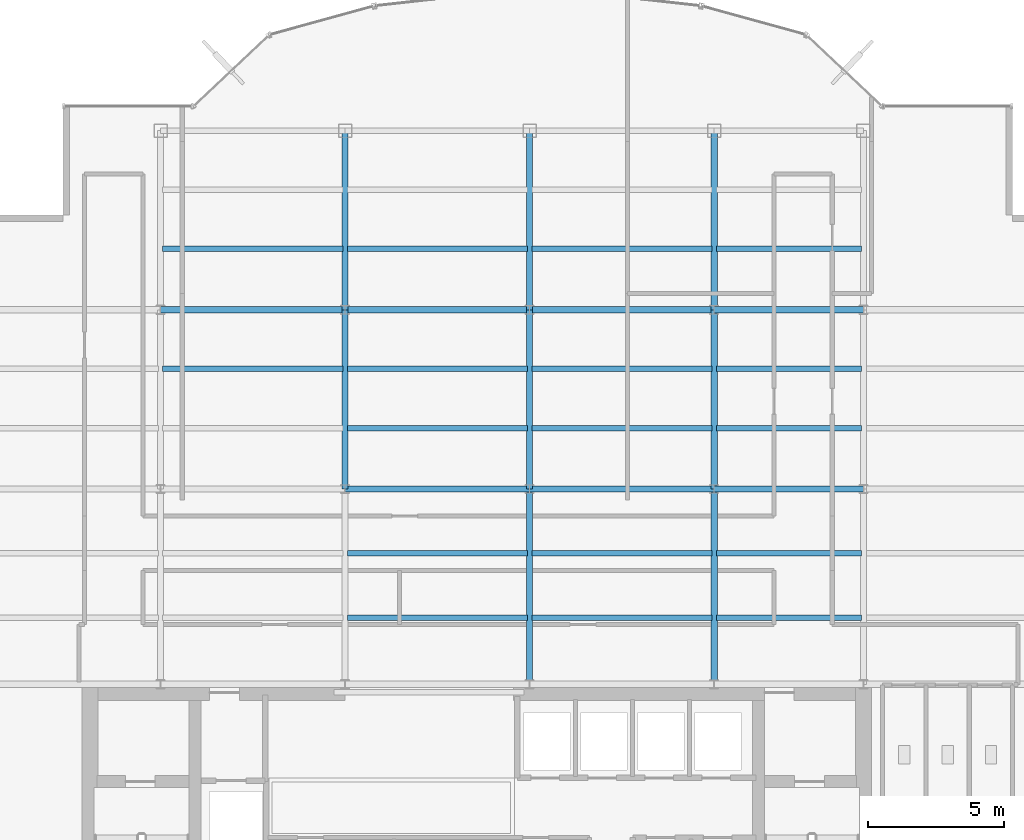
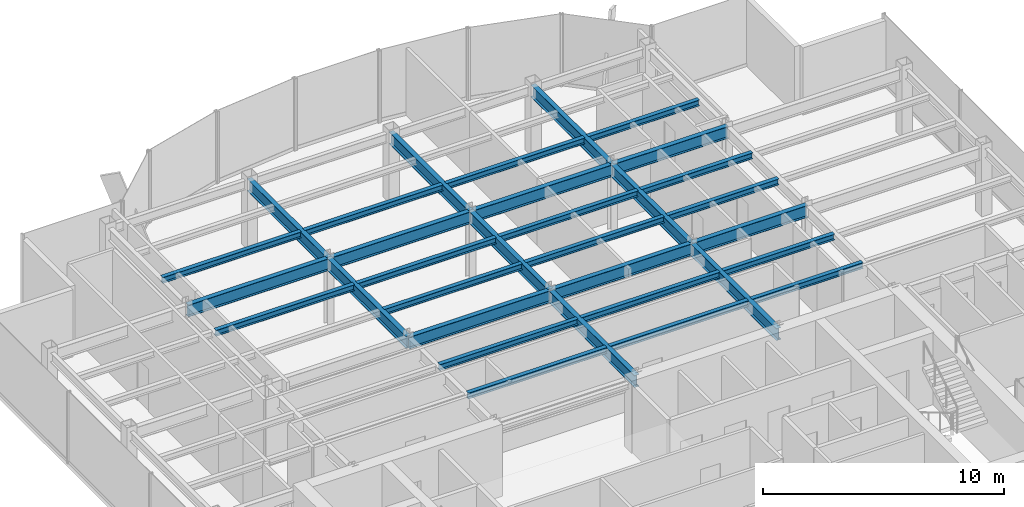
# One storey, part 8 of 22: 32 beams.
"""IFC4 building model written with IfcOpenShell, lengths in metres."""

from ifc_helpers import new_model, si_unit, derived_unit, direction, frame, origin, origin_2d, place, context, subcontext, project, spatial, i_section, extrude, source, transform, mapped, material, material_profile, profile_set, type_object, element, save


model = new_model("IFC4")

# Units and contexts
model_context = context("Model", 3, precision=1e-05, world=origin(), true_north=direction((0.0, 1.0)))
body_context = subcontext(model_context, "Body", "Model", "MODEL_VIEW")
ifc_project = project(units=[si_unit("LENGTHUNIT", "METRE"), si_unit("AREAUNIT", "SQUARE_METRE"), si_unit("VOLUMEUNIT", "CUBIC_METRE"), si_unit("PLANEANGLEUNIT", "RADIAN"), si_unit("MASSUNIT", "GRAM", prefix="KILO"), derived_unit("THERMALTRANSMITTANCEUNIT", [(si_unit("POWERUNIT", "WATT"), 1), (si_unit("LENGTHUNIT", "METRE"), -2), (si_unit("THERMODYNAMICTEMPERATUREUNIT", "KELVIN"), -1)])], contexts=[model_context])

# Site, building, storey
site_placement = place(None, origin())
site = spatial("IfcSite", under=ifc_project, at=site_placement, CompositionType="ELEMENT")
building_placement = place(site_placement, origin())
building = spatial("IfcBuilding", under=site, at=building_placement, Name="Skarnbrae Concourse Arena and Tower", CompositionType="ELEMENT")
storey_placement = place(building_placement, frame((0.0, 0.0, 262.449951171875)))
storey = spatial("IfcBuildingStorey", under=building, at=storey_placement, Name="L68", CompositionType="ELEMENT", Elevation=262.449951171875)

# Beams
ifc_material = material(Name="Steel CSA G40.21 350W", Category="steel")
ifc_material_profile_1 = material_profile(ifc_material, i_section(OverallWidth=0.22802734375, OverallDepth=0.60791015625, WebThickness=0.01123046875, FlangeThickness=0.017333984375, at=origin_2d()), Name="W610X113")
ifc_profile_set_1 = profile_set([ifc_material_profile_1], Name="Steel CSA G40.21 350W")
beam_type_1 = type_object("IfcBeamType", Name="BM-GIRD-W610X113", PredefinedType="BEAM", material=ifc_profile_set_1)
shared_shape_1 = source(origin(), body_context, "Body", "SweptSolid", [
    extrude(i_section(OverallWidth=0.22802734375, OverallDepth=0.60791015625, WebThickness=0.01123046875, FlangeThickness=0.017333984375, at=origin_2d()), origin(), (0.0, 0.0, 1.0), 6.60009765625),
])
for number, where, z_axis, x_axis, name in (
    (1, (14.39990234375, 21.199951171875, 3.095947265625), (0.0, 1.0, 0.0), (-1.0, 0.0, 0.0), "L68 Primary N-S girder X14.4-2"),
    (2, (21.199951171875, 21.199951171875, 3.095947265625), (0.0, 1.0, 0.0), (-1.0, 0.0, 0.0), "L68 Primary N-S girder X21.2-2"),
    (3, (28.0, 21.199951171875, 3.095947265625), (0.0, 1.0, 0.0), (-1.0, 0.0, 0.0), "L68 Primary N-S girder X28.0-2"),
):
    element("IfcBeam", number, at=place(storey_placement, frame(where, z_axis=z_axis, x_axis=x_axis)), inside=storey, type_object=beam_type_1, Name=name, PredefinedType="BEAM", context=body_context, shape_type="MappedRepresentation", body=[
        mapped(shared_shape_1, transform((0.0, 0.0, 0.0))),
    ])
shared_shape_2 = source(origin(), body_context, "Body", "SweptSolid", [
    extrude(i_section(OverallWidth=0.22802734375, OverallDepth=0.60791015625, WebThickness=0.01123046875, FlangeThickness=0.017333984375, at=origin_2d()), origin(), (0.0, 0.0, 1.0), 6.7998046875),
])
beam_placement = place(storey_placement, frame((7.60009765625, 27.800048828125, 3.095947265625), z_axis=(1.0, 0.0, 0.0), x_axis=(0.0, 1.0, 0.0)))
element("IfcBeam", 4, at=beam_placement, inside=storey, type_object=beam_type_1, Name="L68 Primary E-W girder Y27.8-2", PredefinedType="BEAM", context=body_context, shape_type="MappedRepresentation", body=[
    mapped(shared_shape_2, transform((0.0, 0.0, 0.0))),
])
shared_shape_3 = source(origin(), body_context, "Body", "SweptSolid", [
    extrude(i_section(OverallWidth=0.22802734375, OverallDepth=0.60791015625, WebThickness=0.01123046875, FlangeThickness=0.017333984375, at=origin_2d()), origin(), (0.0, 0.0, 1.0), 6.800048828125),
])
for number, where, z_axis, x_axis, name in (
    (5, (14.39990234375, 21.199951171875, 3.095947265625), (1.0, 0.0, 0.0), (0.0, 1.0, 0.0), "L68 Primary E-W girder Y21.2-3"),
    (6, (21.199951171875, 21.199951171875, 3.095947265625), (1.0, 0.0, 0.0), (0.0, 1.0, 0.0), "L68 Primary E-W girder Y21.2-4"),
    (7, (14.39990234375, 27.800048828125, 3.095947265625), (1.0, 0.0, 0.0), (0.0, 1.0, 0.0), "L68 Primary E-W girder Y27.8-3"),
    (8, (21.199951171875, 27.800048828125, 3.095947265625), (1.0, 0.0, 0.0), (0.0, 1.0, 0.0), "L68 Primary E-W girder Y27.8-4"),
):
    element("IfcBeam", number, at=place(storey_placement, frame(where, z_axis=z_axis, x_axis=x_axis)), inside=storey, type_object=beam_type_1, Name=name, PredefinedType="BEAM", context=body_context, shape_type="MappedRepresentation", body=[
        mapped(shared_shape_3, transform((0.0, 0.0, 0.0))),
    ])
shared_shape_4 = source(origin(), body_context, "Body", "SweptSolid", [
    extrude(i_section(OverallWidth=0.22802734375, OverallDepth=0.60791015625, WebThickness=0.01123046875, FlangeThickness=0.017333984375, at=origin_2d()), origin(), (0.0, 0.0, 1.0), 5.5),
])
for number, where, z_axis, x_axis, name in (
    (9, (28.0, 21.199951171875, 3.095947265625), (1.0, 0.0, 0.0), (0.0, 1.0, 0.0), "L68 Primary E-W girder Y21.2-5"),
    (10, (28.0, 27.800048828125, 3.095947265625), (1.0, 0.0, 0.0), (0.0, 1.0, 0.0), "L68 Primary E-W girder Y27.8-5"),
):
    element("IfcBeam", number, at=place(storey_placement, frame(where, z_axis=z_axis, x_axis=x_axis)), inside=storey, type_object=beam_type_1, Name=name, PredefinedType="BEAM", context=body_context, shape_type="MappedRepresentation", body=[
        mapped(shared_shape_4, transform((0.0, 0.0, 0.0))),
    ])
shared_shape_5 = source(origin(), body_context, "Body", "SweptSolid", [
    extrude(i_section(OverallWidth=0.22802734375, OverallDepth=0.60791015625, WebThickness=0.01123046875, FlangeThickness=0.017333984375, at=origin_2d()), origin(), (0.0, 0.0, 1.0), 7.199951171875),
])
for number, where, z_axis, x_axis, name in (
    (11, (21.199951171875, 14.0, 3.095947265625), (0.0, 1.0, 0.0), (-1.0, 0.0, 0.0), "L68 Primary N-S girder X21.2-1"),
    (12, (28.0, 14.0, 3.095947265625), (0.0, 1.0, 0.0), (-1.0, 0.0, 0.0), "L68 Primary N-S girder X28.0-1"),
):
    element("IfcBeam", number, at=place(storey_placement, frame(where, z_axis=z_axis, x_axis=x_axis)), inside=storey, type_object=beam_type_1, Name=name, PredefinedType="BEAM", context=body_context, shape_type="MappedRepresentation", body=[
        mapped(shared_shape_5, transform((0.0, 0.0, 0.0))),
    ])
shared_shape_6 = source(origin(), body_context, "Body", "SweptSolid", [
    extrude(i_section(OverallWidth=0.22802734375, OverallDepth=0.60791015625, WebThickness=0.01123046875, FlangeThickness=0.017333984375, at=origin_2d()), origin(), (0.0, 0.0, 1.0), 6.599853515625),
])
for number, where, z_axis, x_axis, name in (
    (13, (14.39990234375, 27.800048828125, 3.095947265625), (0.0, 1.0, 0.0), (-1.0, 0.0, 0.0), "L68 Primary N-S girder X14.4-3"),
    (14, (21.199951171875, 27.800048828125, 3.095947265625), (0.0, 1.0, 0.0), (-1.0, 0.0, 0.0), "L68 Primary N-S girder X21.2-3"),
    (15, (28.0, 27.800048828125, 3.095947265625), (0.0, 1.0, 0.0), (-1.0, 0.0, 0.0), "L68 Primary N-S girder X28.0-3"),
):
    element("IfcBeam", number, at=place(storey_placement, frame(where, z_axis=z_axis, x_axis=x_axis)), inside=storey, type_object=beam_type_1, Name=name, PredefinedType="BEAM", context=body_context, shape_type="MappedRepresentation", body=[
        mapped(shared_shape_6, transform((0.0, 0.0, 0.0))),
    ])
ifc_material_profile_2 = material_profile(ifc_material, i_section(OverallWidth=0.202880859375, OverallDepth=0.302978515625, WebThickness=0.007568359375, FlangeThickness=0.01318359375, at=origin_2d()), Name="W310X60")
ifc_profile_set_2 = profile_set([ifc_material_profile_2], Name="Steel CSA G40.21 350W")
beam_type_2 = type_object("IfcBeamType", Name="BM-JOIST-W310X60", PredefinedType="JOIST", material=ifc_profile_set_2)
shared_shape_7 = source(origin(), body_context, "Body", "SweptSolid", [
    extrude(i_section(OverallWidth=0.202880859375, OverallDepth=0.302978515625, WebThickness=0.007568359375, FlangeThickness=0.01318359375, at=origin_2d()), origin(), (0.0, 0.0, 1.0), 6.64013671875),
])
for number, where, z_axis, x_axis, name in (
    (16, (14.47998046875, 16.447998046875, 3.24853515625), (1.0, 0.0, 0.0), (0.0, 1.0, 0.0), "L68 Secondary floor joist 1.1.3"),
    (17, (14.47998046875, 18.823974609375, 3.24853515625), (1.0, 0.0, 0.0), (0.0, 1.0, 0.0), "L68 Secondary floor joist 1.2.3"),
    (18, (14.47998046875, 23.444091796875, 3.24853515625), (1.0, 0.0, 0.0), (0.0, 1.0, 0.0), "L68 Secondary floor joist 2.1.3"),
    (19, (7.679931640625, 25.6220703125, 3.24853515625), (1.0, 0.0, 0.0), (0.0, 1.0, 0.0), "L68 Secondary floor joist 2.2.2"),
    (20, (14.47998046875, 25.6220703125, 3.24853515625), (1.0, 0.0, 0.0), (0.0, 1.0, 0.0), "L68 Secondary floor joist 2.2.3"),
    (21, (7.679931640625, 30.0439453125, 3.24853515625), (1.0, 0.0, 0.0), (0.0, 1.0, 0.0), "L68 Secondary floor joist 3.1.1"),
    (22, (14.47998046875, 30.0439453125, 3.24853515625), (1.0, 0.0, 0.0), (0.0, 1.0, 0.0), "L68 Secondary floor joist 3.1.2"),
):
    element("IfcBeam", number, at=place(storey_placement, frame(where, z_axis=z_axis, x_axis=x_axis)), inside=storey, type_object=beam_type_2, Name=name, PredefinedType="JOIST", context=body_context, shape_type="MappedRepresentation", body=[
        mapped(shared_shape_7, transform((0.0, 0.0, 0.0))),
    ])
shared_shape_8 = source(origin(), body_context, "Body", "SweptSolid", [
    extrude(i_section(OverallWidth=0.202880859375, OverallDepth=0.302978515625, WebThickness=0.007568359375, FlangeThickness=0.01318359375, at=origin_2d()), origin(), (0.0, 0.0, 1.0), 6.639892578125),
])
for number, where, z_axis, x_axis, name in (
    (23, (21.280029296875, 16.447998046875, 3.24853515625), (1.0, 0.0, 0.0), (0.0, 1.0, 0.0), "L68 Secondary floor joist 1.1.4"),
    (24, (21.280029296875, 18.823974609375, 3.24853515625), (1.0, 0.0, 0.0), (0.0, 1.0, 0.0), "L68 Secondary floor joist 1.2.4"),
    (25, (21.280029296875, 23.444091796875, 3.24853515625), (1.0, 0.0, 0.0), (0.0, 1.0, 0.0), "L68 Secondary floor joist 2.1.4"),
    (26, (21.280029296875, 25.6220703125, 3.24853515625), (1.0, 0.0, 0.0), (0.0, 1.0, 0.0), "L68 Secondary floor joist 2.2.4"),
    (27, (21.280029296875, 30.0439453125, 3.24853515625), (1.0, 0.0, 0.0), (0.0, 1.0, 0.0), "L68 Secondary floor joist 3.1.3"),
):
    element("IfcBeam", number, at=place(storey_placement, frame(where, z_axis=z_axis, x_axis=x_axis)), inside=storey, type_object=beam_type_2, Name=name, PredefinedType="JOIST", context=body_context, shape_type="MappedRepresentation", body=[
        mapped(shared_shape_8, transform((0.0, 0.0, 0.0))),
    ])
shared_shape_9 = source(origin(), body_context, "Body", "SweptSolid", [
    extrude(i_section(OverallWidth=0.202880859375, OverallDepth=0.302978515625, WebThickness=0.007568359375, FlangeThickness=0.01318359375, at=origin_2d()), origin(), (0.0, 0.0, 1.0), 5.33984375),
])
for number, where, z_axis, x_axis, name in (
    (28, (28.080078125, 16.447998046875, 3.24853515625), (1.0, 0.0, 0.0), (0.0, 1.0, 0.0), "L68 Secondary floor joist 1.1.5"),
    (29, (28.080078125, 18.823974609375, 3.24853515625), (1.0, 0.0, 0.0), (0.0, 1.0, 0.0), "L68 Secondary floor joist 1.2.5"),
    (30, (28.080078125, 23.444091796875, 3.24853515625), (1.0, 0.0, 0.0), (0.0, 1.0, 0.0), "L68 Secondary floor joist 2.1.5"),
    (31, (28.080078125, 25.6220703125, 3.24853515625), (1.0, 0.0, 0.0), (0.0, 1.0, 0.0), "L68 Secondary floor joist 2.2.5"),
    (32, (28.080078125, 30.0439453125, 3.24853515625), (1.0, 0.0, 0.0), (0.0, 1.0, 0.0), "L68 Secondary floor joist 3.1.4"),
):
    element("IfcBeam", number, at=place(storey_placement, frame(where, z_axis=z_axis, x_axis=x_axis)), inside=storey, type_object=beam_type_2, Name=name, PredefinedType="JOIST", context=body_context, shape_type="MappedRepresentation", body=[
        mapped(shared_shape_9, transform((0.0, 0.0, 0.0))),
    ])

save(model, "model.ifc")
